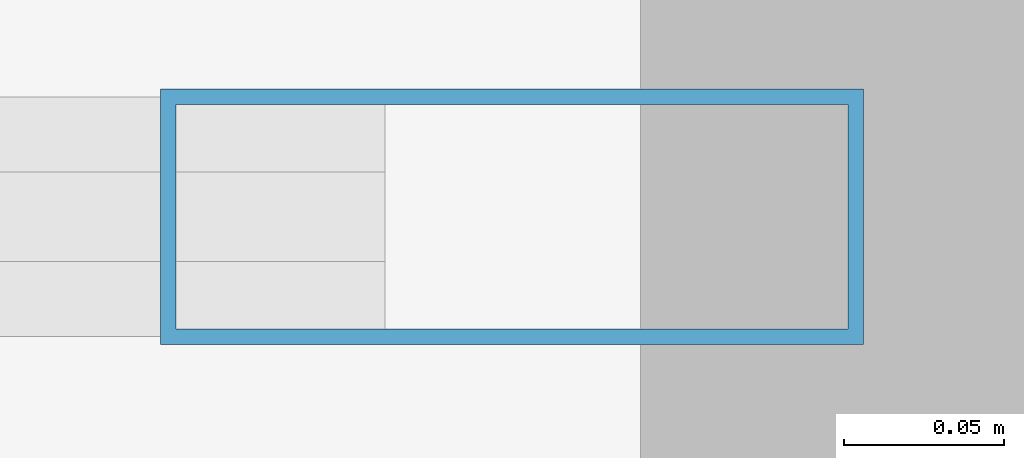
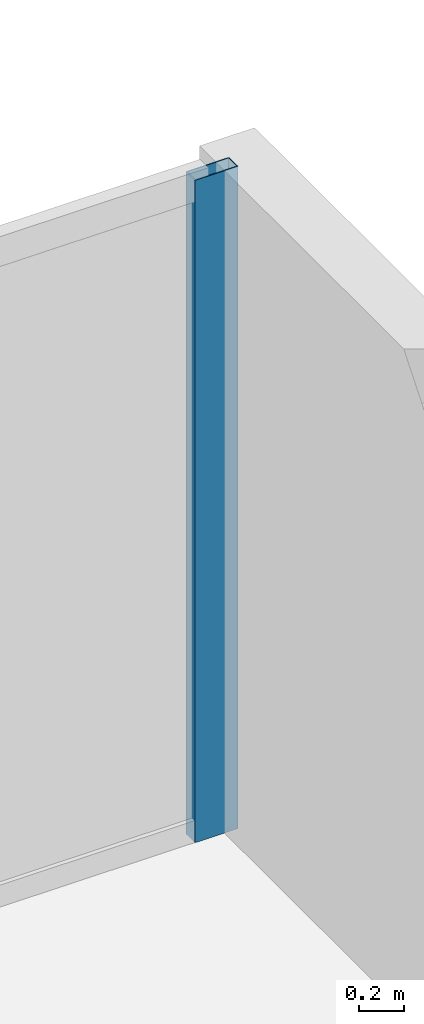
# One storey, part 14 of 24: 1 member, 1 element without a shape of its own.
"""IFC4 building model written with IfcOpenShell, lengths in metres."""

import ifcopenshell
import ifcopenshell.guid

model = None  # the IFC model being written
_history = None  # IfcOwnerHistory: only IFC2X3 demands one
_inside = {}  # id of a spatial element -> (the spatial element, [elements in it])
_under = {}  # id of a project, library or spatial element -> (it, [spatial elements below it])
_declared = {}  # id of a project -> (the project, [libraries it declares])
_typed = {}  # id of a type object -> (the type object, [elements of that type])
_made_of = {}  # id of a material, layer set ... -> (it, [elements and type objects made of it])


def new_model(schema):
    """Start an empty IFC model of exactly this schema.

    Asked for "IFC4X3", IfcOpenShell would pick the latest addendum, in which some entities
    have other attributes; the version numbers below select the first issue.
    IFC2X3 requires an IfcOwnerHistory on every rooted entity: one is made here for all.
    """
    global model, _history
    if schema == "IFC4X3":
        model = ifcopenshell.file(schema_version=(4, 3, 0, 0))
    else:
        model = ifcopenshell.file(schema=schema)
    _inside.clear()
    _under.clear()
    _declared.clear()
    _typed.clear()
    _made_of.clear()
    _history = None
    if model.schema == "IFC2X3":
        org = make("IfcOrganization", Name="unknown")
        user = make(
            "IfcPersonAndOrganization",
            ThePerson=make("IfcPerson", FamilyName="unknown"),
            TheOrganization=org,
        )
        app = make(
            "IfcApplication",
            ApplicationDeveloper=org,
            Version="unknown",
            ApplicationFullName="unknown",
            ApplicationIdentifier="unknown",
        )
        _history = make(
            "IfcOwnerHistory",
            OwningUser=user,
            OwningApplication=app,
            ChangeAction="ADDED",
            CreationDate=0,
        )
    return model


def make(cls, **values):
    """One entity of the class cls with the attributes given. An attribute that is None is left unset."""
    return model.create_entity(
        cls, **{name: value for name, value in values.items() if value is not None}
    )


def rooted(cls, **values):
    """An entity with a GlobalId (a new one), such as an element, a storey or a relation."""
    return make(cls, GlobalId=ifcopenshell.guid.new(), OwnerHistory=_history, **values)


def si_unit(unit_type, name, prefix=None):
    """IfcSIUnit, for example si_unit("LENGTHUNIT", "METRE", prefix="MILLI")."""
    return make("IfcSIUnit", UnitType=unit_type, Prefix=prefix, Name=name)


def assignment(units):
    """IfcUnitAssignment: the units of a project."""
    return None if units is None else make("IfcUnitAssignment", Units=units)


def point(xyz):
    """IfcCartesianPoint."""
    return None if xyz is None else make("IfcCartesianPoint", Coordinates=xyz)


def direction(xyz):
    """IfcDirection."""
    return None if xyz is None else make("IfcDirection", DirectionRatios=xyz)


def frame(location, z_axis=None, x_axis=None):
    """IfcAxis2Placement3D, a coordinate frame: its origin and axes. An axis left out is left unset."""
    return make(
        "IfcAxis2Placement3D",
        Location=point(location),
        Axis=direction(z_axis),
        RefDirection=direction(x_axis),
    )


def frame_2d(location, x_axis=None):
    """IfcAxis2Placement2D, a coordinate frame in the plane: its origin and x axis."""
    return make(
        "IfcAxis2Placement2D", Location=point(location), RefDirection=direction(x_axis)
    )


def origin():
    """The frame at (0, 0, 0) with its axes left unset."""
    return frame((0.0, 0.0, 0.0))


def origin_with_axes():
    """The frame at (0, 0, 0) with the z axis (0, 0, 1) and the x axis (1, 0, 0) written out."""
    return frame((0.0, 0.0, 0.0), z_axis=(0.0, 0.0, 1.0), x_axis=(1.0, 0.0, 0.0))


def origin_2d():
    """The frame at (0, 0) in the plane with its x axis left unset."""
    return frame_2d((0.0, 0.0))


def place(relative_to, where):
    """IfcLocalPlacement: puts the frame where relative to a parent placement (None: the world)."""
    return make(
        "IfcLocalPlacement", PlacementRelTo=relative_to, RelativePlacement=where
    )


def context(
    kind, dimensions, precision=None, world=None, true_north=None, identifier=None
):
    """IfcGeometricRepresentationContext, for example the 3D "Model" context."""
    return make(
        "IfcGeometricRepresentationContext",
        ContextIdentifier=identifier,
        ContextType=kind,
        CoordinateSpaceDimension=dimensions,
        Precision=precision,
        WorldCoordinateSystem=world,
        TrueNorth=true_north,
    )


def subcontext(parent, identifier, kind, view, scale=None):
    """IfcGeometricRepresentationSubContext, for example "Body" below "Model"."""
    return make(
        "IfcGeometricRepresentationSubContext",
        ContextIdentifier=identifier,
        ContextType=kind,
        ParentContext=parent,
        TargetScale=scale,
        TargetView=view,
    )


def project(units=None, contexts=None):
    """IfcProject with its units and contexts."""
    return rooted(
        "IfcProject",
        Name="project",
        RepresentationContexts=contexts,
        UnitsInContext=assignment(units),
    )


def spatial(cls, under=None, at=None, **own):
    """A site, building, storey or space (cls), placed at a placement, below another one or the project."""
    s = rooted(cls, ObjectPlacement=at, **own)
    if under is not None:
        _under.setdefault(under.id(), (under, []))[1].append(s)
    return s


def profile(cls, at=None, kind="AREA", **sizes):
    """A parametric profile (cls). Its sizes go by their IFC names, for example OverallWidth=200.0."""
    return make(cls, ProfileType=kind, Position=at, **sizes)


def hollow_rectangle(**sizes):
    """IfcRectangleHollowProfileDef."""
    return profile("IfcRectangleHollowProfileDef", **sizes)


def extrude(swept, where, along, depth):
    """IfcExtrudedAreaSolid: the profile swept, set in the frame where, extruded along a direction by depth."""
    return make(
        "IfcExtrudedAreaSolid",
        SweptArea=swept,
        Position=where,
        ExtrudedDirection=direction(along),
        Depth=depth,
    )


def shape(context_of_items, identifier, shape_type, items):
    """IfcShapeRepresentation: the items that make up one representation, for example the "Body"."""
    return make(
        "IfcShapeRepresentation",
        ContextOfItems=context_of_items,
        RepresentationIdentifier=identifier,
        RepresentationType=shape_type,
        Items=items,
    )


def source(mapping_origin, context_of_items, identifier, shape_type, items):
    """IfcRepresentationMap: a shape defined once, which mapped items show again and again."""
    return make(
        "IfcRepresentationMap",
        MappingOrigin=mapping_origin,
        MappedRepresentation=shape(context_of_items, identifier, shape_type, items),
    )


def transform(
    local_origin,
    x_axis=None,
    y_axis=None,
    z_axis=None,
    scale=None,
    scale2=None,
    scale3=None,
    uniform=True,
):
    """IfcCartesianTransformationOperator3D, or its non-uniform kind. x_axis, y_axis, z_axis: its Axis1, 2, 3."""
    if uniform:
        return make(
            "IfcCartesianTransformationOperator3D",
            Axis1=direction(x_axis),
            Axis2=direction(y_axis),
            LocalOrigin=point(local_origin),
            Scale=scale,
            Axis3=direction(z_axis),
        )
    return make(
        "IfcCartesianTransformationOperator3DnonUniform",
        Axis1=direction(x_axis),
        Axis2=direction(y_axis),
        LocalOrigin=point(local_origin),
        Scale=scale,
        Axis3=direction(z_axis),
        Scale2=scale2,
        Scale3=scale3,
    )


def mapped(mapping_source, mapping_target):
    """IfcMappedItem: shows the shape of a source again, moved by a transform."""
    return make(
        "IfcMappedItem", MappingSource=mapping_source, MappingTarget=mapping_target
    )


def material(Name=None, Category=None):
    """IfcMaterial."""
    return make("IfcMaterial", Name=Name, Category=Category)


def layer(
    of_material, thickness, ventilated=None, Name=None, Category=None, Priority=None
):
    """IfcMaterialLayer: one layer of a wall or slab, of a material (None: an air gap)."""
    return make(
        "IfcMaterialLayer",
        Material=of_material,
        LayerThickness=thickness,
        IsVentilated=ventilated,
        Name=Name,
        Category=Category,
        Priority=Priority,
    )


def layer_set(layers, Name=None):
    """IfcMaterialLayerSet."""
    return make("IfcMaterialLayerSet", MaterialLayers=layers, LayerSetName=Name)


def material_profile(
    of_material, cross_section, Name=None, Category=None, Priority=None
):
    """IfcMaterialProfile: a cross section and its material."""
    return make(
        "IfcMaterialProfile",
        Name=Name,
        Material=of_material,
        Profile=cross_section,
        Priority=Priority,
        Category=Category,
    )


def profile_set(profiles, Name=None, composite=None):
    """IfcMaterialProfileSet."""
    return make(
        "IfcMaterialProfileSet",
        Name=Name,
        MaterialProfiles=profiles,
        CompositeProfile=composite,
    )


def made_of(thing, what):
    """Note that an element or type object is made of a material, layer set ...; save() writes the relation."""
    if what is not None:
        _made_of.setdefault(what.id(), (what, []))[1].append(thing)
    return thing


def type_object(cls, material=None, **own):
    """A type object (cls), such as IfcWallType, which elements share."""
    return made_of(rooted(cls, **own), material)


def element(
    cls,
    number,
    at=None,
    inside=None,
    cuts=None,
    type_object=None,
    material=None,
    context=None,
    identifier="Body",
    shape_type=None,
    held_by="IfcProductDefinitionShape",
    body=None,
    shapes=None,
    **own,
):
    """One element of the class cls, such as IfcWall. Its Tag is "e" and its number.

    at: its placement. inside: the storey or other place that contains it. cuts: it is an
    opening in that element (IfcRelVoidsElement). A single representation is given by context,
    identifier, shape_type and body (its items); several are given by shapes. held_by: the class
    of the entity that holds the representations. save() writes the other relations.
    """
    e = rooted(cls, Tag="e%d" % number, ObjectPlacement=at, **own)
    if body is not None:
        shapes = [shape(context, identifier, shape_type, body)]
    if shapes is not None:
        e.Representation = make(held_by, Representations=shapes)
    if inside is not None:
        _inside.setdefault(inside.id(), (inside, []))[1].append(e)
    if cuts is not None:
        rooted(
            "IfcRelVoidsElement", RelatingBuildingElement=cuts, RelatedOpeningElement=e
        )
    if type_object is not None:
        _typed.setdefault(type_object.id(), (type_object, []))[1].append(e)
    return made_of(e, material)


def aggregate(whole, parts):
    """IfcRelAggregates: a whole, such as a stair, and the parts it consists of."""
    return rooted("IfcRelAggregates", RelatingObject=whole, RelatedObjects=parts)


def save(model, path):
    """Write the relations noted so far, then the file.

    IfcRelAggregates (storeys below a building ...), IfcRelContainedInSpatialStructure (elements
    in a storey), IfcRelDefinesByType, IfcRelAssociatesMaterial and IfcRelDeclares: one each for
    every whole, place, type object, material and project.
    """
    for whole, parts in _under.values():
        aggregate(whole, parts)
    for where, things in _inside.values():
        rooted(
            "IfcRelContainedInSpatialStructure",
            RelatedElements=things,
            RelatingStructure=where,
        )
    for kind, things in _typed.values():
        rooted("IfcRelDefinesByType", RelatedObjects=things, RelatingType=kind)
    for what, things in _made_of.values():
        rooted("IfcRelAssociatesMaterial", RelatedObjects=things, RelatingMaterial=what)
    for by, libraries in _declared.values():
        rooted("IfcRelDeclares", RelatingContext=by, RelatedDefinitions=libraries)
    model.write(path)


model = new_model("IFC4")

# Units and contexts
model_context = context("Model", 3, precision=1e-05, world=origin(), true_north=direction((0.0, 1.0)))
body_context = subcontext(model_context, "Body", "Model", "MODEL_VIEW")
ifc_project = project(units=[si_unit("LENGTHUNIT", "METRE"), si_unit("AREAUNIT", "SQUARE_METRE"), si_unit("VOLUMEUNIT", "CUBIC_METRE"), si_unit("PLANEANGLEUNIT", "RADIAN"), si_unit("MASSUNIT", "GRAM", prefix="KILO")], contexts=[model_context])

# Site, building, storey
site_placement = place(None, origin())
site = spatial("IfcSite", under=ifc_project, at=site_placement, CompositionType="ELEMENT")
building_placement = place(site_placement, origin())
building = spatial("IfcBuilding", under=site, at=building_placement, Name="Kolvaren Waterfront Exchange", CompositionType="ELEMENT")
storey_placement = place(building_placement, frame((0.0, 0.0, 157.60009765625)))
storey = spatial("IfcBuildingStorey", under=building, at=storey_placement, Name="L40", CompositionType="ELEMENT", Elevation=157.60009765625)

# Curtain wall, member
ifc_material_1 = material(Name="Anodised bronze aluminium 6063-T6", Category="aluminium")
ifc_layer = layer(ifc_material_1, 0.219970703125, Name="Anodised bronze aluminium 6063-T6")
ifc_layer_set = layer_set([ifc_layer], Name="Anodised bronze aluminium 6063-T6")
curtain_wall_type = type_object("IfcCurtainWallType", Name="ARC-CW-SYS1", PredefinedType="USERDEFINED", material=ifc_layer_set)
curtain_wall_placement = place(storey_placement, origin())
curtain_wall = element("IfcCurtainWall", 1, at=curtain_wall_placement, inside=storey, type_object=curtain_wall_type, Name="L40 stick curtain wall CW1 (CW-L40-EN)", ObjectType="STICK CURTAIN WALL", PredefinedType="USERDEFINED")
ifc_material_2 = material(Name="Anodised aluminium 6063-T6", Category="aluminium")
ifc_material_profile = material_profile(ifc_material_2, hollow_rectangle(XDim=0.080078125, YDim=0.219970703125, WallThickness=0.0048828125, at=origin_2d()), Name="ALU-MUL-220x80x5")
ifc_profile_set = profile_set([ifc_material_profile], Name="Anodised aluminium 6063-T6")
member_type = type_object("IfcMemberType", Name="ARC-CWM-220", PredefinedType="MULLION", material=ifc_profile_set)
shared_shape = source(origin_with_axes(), body_context, "Body", "SweptSolid", [
    extrude(hollow_rectangle(XDim=0.080078125, YDim=0.219970703125, WallThickness=0.0048828125, at=origin_2d()), origin(), (0.0, 0.0, 1.0), 3.559814453125),
])
member_placement = place(storey_placement, frame((54.659912109375, 20.9599609375, 0.0), z_axis=(0.0, 0.0, 1.0), x_axis=(0.0, 1.0, 0.0)))
member = element("IfcMember", 2, at=member_placement, type_object=member_type, Name="CW1 mullion 5", PredefinedType="MULLION", context=body_context, shape_type="MappedRepresentation", body=[
    mapped(shared_shape, transform((0.0, 0.0, 0.0), x_axis=(1.0, 0.0, 0.0), y_axis=(0.0, 1.0, 0.0), z_axis=(0.0, 0.0, 1.0), scale=1.0)),
])
aggregate(curtain_wall, [member])

save(model, "model.ifc")
